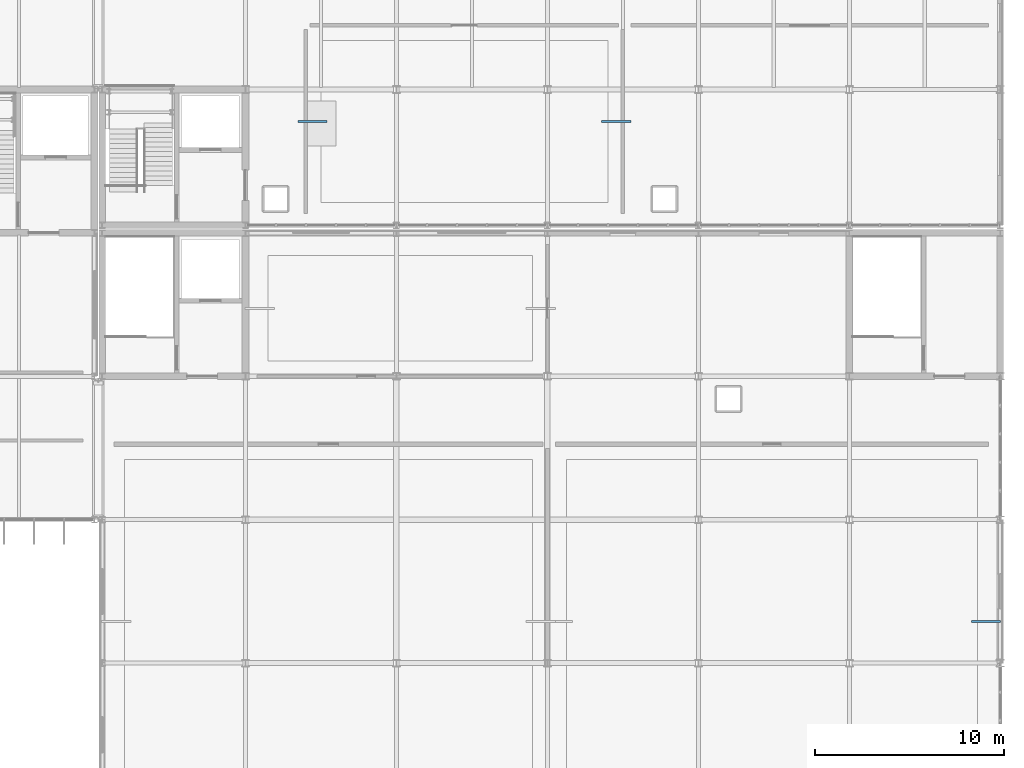
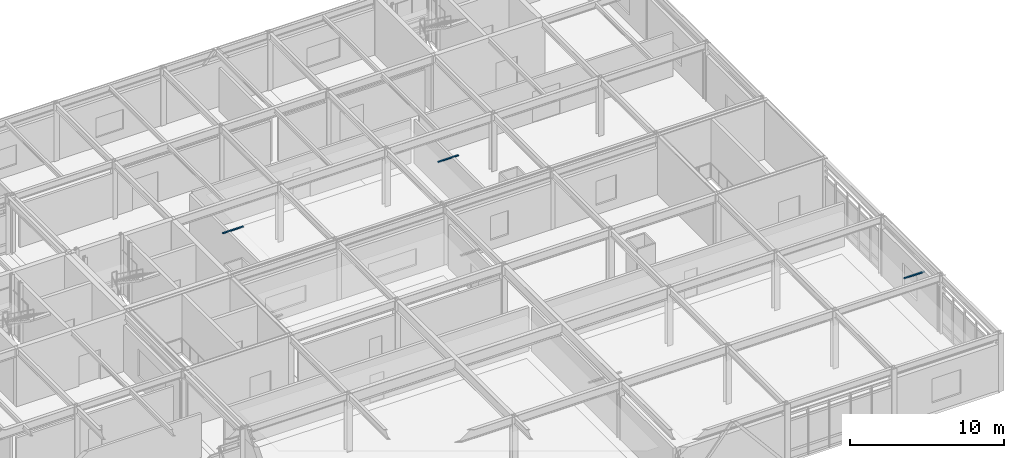
# One storey, part 92 of 104: 3 discrete accessories.
"""IFC4 building model written with IfcOpenShell, lengths in metres."""

import ifcopenshell
import ifcopenshell.guid

model = None  # the IFC model being written
_history = None  # IfcOwnerHistory: only IFC2X3 demands one
_inside = {}  # id of a spatial element -> (the spatial element, [elements in it])
_under = {}  # id of a project, library or spatial element -> (it, [spatial elements below it])
_declared = {}  # id of a project -> (the project, [libraries it declares])
_typed = {}  # id of a type object -> (the type object, [elements of that type])
_made_of = {}  # id of a material, layer set ... -> (it, [elements and type objects made of it])


def new_model(schema):
    """Start an empty IFC model of exactly this schema.

    Asked for "IFC4X3", IfcOpenShell would pick the latest addendum, in which some entities
    have other attributes; the version numbers below select the first issue.
    IFC2X3 requires an IfcOwnerHistory on every rooted entity: one is made here for all.
    """
    global model, _history
    if schema == "IFC4X3":
        model = ifcopenshell.file(schema_version=(4, 3, 0, 0))
    else:
        model = ifcopenshell.file(schema=schema)
    _inside.clear()
    _under.clear()
    _declared.clear()
    _typed.clear()
    _made_of.clear()
    _history = None
    if model.schema == "IFC2X3":
        org = make("IfcOrganization", Name="unknown")
        user = make(
            "IfcPersonAndOrganization",
            ThePerson=make("IfcPerson", FamilyName="unknown"),
            TheOrganization=org,
        )
        app = make(
            "IfcApplication",
            ApplicationDeveloper=org,
            Version="unknown",
            ApplicationFullName="unknown",
            ApplicationIdentifier="unknown",
        )
        _history = make(
            "IfcOwnerHistory",
            OwningUser=user,
            OwningApplication=app,
            ChangeAction="ADDED",
            CreationDate=0,
        )
    return model


def make(cls, **values):
    """One entity of the class cls with the attributes given. An attribute that is None is left unset."""
    return model.create_entity(
        cls, **{name: value for name, value in values.items() if value is not None}
    )


def rooted(cls, **values):
    """An entity with a GlobalId (a new one), such as an element, a storey or a relation."""
    return make(cls, GlobalId=ifcopenshell.guid.new(), OwnerHistory=_history, **values)


def si_unit(unit_type, name, prefix=None):
    """IfcSIUnit, for example si_unit("LENGTHUNIT", "METRE", prefix="MILLI")."""
    return make("IfcSIUnit", UnitType=unit_type, Prefix=prefix, Name=name)


def assignment(units):
    """IfcUnitAssignment: the units of a project."""
    return None if units is None else make("IfcUnitAssignment", Units=units)


def point(xyz):
    """IfcCartesianPoint."""
    return None if xyz is None else make("IfcCartesianPoint", Coordinates=xyz)


def direction(xyz):
    """IfcDirection."""
    return None if xyz is None else make("IfcDirection", DirectionRatios=xyz)


def frame(location, z_axis=None, x_axis=None):
    """IfcAxis2Placement3D, a coordinate frame: its origin and axes. An axis left out is left unset."""
    return make(
        "IfcAxis2Placement3D",
        Location=point(location),
        Axis=direction(z_axis),
        RefDirection=direction(x_axis),
    )


def frame_2d(location, x_axis=None):
    """IfcAxis2Placement2D, a coordinate frame in the plane: its origin and x axis."""
    return make(
        "IfcAxis2Placement2D", Location=point(location), RefDirection=direction(x_axis)
    )


def origin():
    """The frame at (0, 0, 0) with its axes left unset."""
    return frame((0.0, 0.0, 0.0))


def origin_2d():
    """The frame at (0, 0) in the plane with its x axis left unset."""
    return frame_2d((0.0, 0.0))


def place(relative_to, where):
    """IfcLocalPlacement: puts the frame where relative to a parent placement (None: the world)."""
    return make(
        "IfcLocalPlacement", PlacementRelTo=relative_to, RelativePlacement=where
    )


def context(
    kind, dimensions, precision=None, world=None, true_north=None, identifier=None
):
    """IfcGeometricRepresentationContext, for example the 3D "Model" context."""
    return make(
        "IfcGeometricRepresentationContext",
        ContextIdentifier=identifier,
        ContextType=kind,
        CoordinateSpaceDimension=dimensions,
        Precision=precision,
        WorldCoordinateSystem=world,
        TrueNorth=true_north,
    )


def subcontext(parent, identifier, kind, view, scale=None):
    """IfcGeometricRepresentationSubContext, for example "Body" below "Model"."""
    return make(
        "IfcGeometricRepresentationSubContext",
        ContextIdentifier=identifier,
        ContextType=kind,
        ParentContext=parent,
        TargetScale=scale,
        TargetView=view,
    )


def project(units=None, contexts=None):
    """IfcProject with its units and contexts."""
    return rooted(
        "IfcProject",
        Name="project",
        RepresentationContexts=contexts,
        UnitsInContext=assignment(units),
    )


def spatial(cls, under=None, at=None, **own):
    """A site, building, storey or space (cls), placed at a placement, below another one or the project."""
    s = rooted(cls, ObjectPlacement=at, **own)
    if under is not None:
        _under.setdefault(under.id(), (under, []))[1].append(s)
    return s


def profile(cls, at=None, kind="AREA", **sizes):
    """A parametric profile (cls). Its sizes go by their IFC names, for example OverallWidth=200.0."""
    return make(cls, ProfileType=kind, Position=at, **sizes)


def rectangle(**sizes):
    """IfcRectangleProfileDef."""
    return profile("IfcRectangleProfileDef", **sizes)


def extrude(swept, where, along, depth):
    """IfcExtrudedAreaSolid: the profile swept, set in the frame where, extruded along a direction by depth."""
    return make(
        "IfcExtrudedAreaSolid",
        SweptArea=swept,
        Position=where,
        ExtrudedDirection=direction(along),
        Depth=depth,
    )


def shape(context_of_items, identifier, shape_type, items):
    """IfcShapeRepresentation: the items that make up one representation, for example the "Body"."""
    return make(
        "IfcShapeRepresentation",
        ContextOfItems=context_of_items,
        RepresentationIdentifier=identifier,
        RepresentationType=shape_type,
        Items=items,
    )


def material(Name=None, Category=None):
    """IfcMaterial."""
    return make("IfcMaterial", Name=Name, Category=Category)


def layer(
    of_material, thickness, ventilated=None, Name=None, Category=None, Priority=None
):
    """IfcMaterialLayer: one layer of a wall or slab, of a material (None: an air gap)."""
    return make(
        "IfcMaterialLayer",
        Material=of_material,
        LayerThickness=thickness,
        IsVentilated=ventilated,
        Name=Name,
        Category=Category,
        Priority=Priority,
    )


def layer_set(layers, Name=None):
    """IfcMaterialLayerSet."""
    return make("IfcMaterialLayerSet", MaterialLayers=layers, LayerSetName=Name)


def made_of(thing, what):
    """Note that an element or type object is made of a material, layer set ...; save() writes the relation."""
    if what is not None:
        _made_of.setdefault(what.id(), (what, []))[1].append(thing)
    return thing


def type_object(cls, material=None, **own):
    """A type object (cls), such as IfcWallType, which elements share."""
    return made_of(rooted(cls, **own), material)


def element(
    cls,
    number,
    at=None,
    inside=None,
    cuts=None,
    type_object=None,
    material=None,
    context=None,
    identifier="Body",
    shape_type=None,
    held_by="IfcProductDefinitionShape",
    body=None,
    shapes=None,
    **own,
):
    """One element of the class cls, such as IfcWall. Its Tag is "e" and its number.

    at: its placement. inside: the storey or other place that contains it. cuts: it is an
    opening in that element (IfcRelVoidsElement). A single representation is given by context,
    identifier, shape_type and body (its items); several are given by shapes. held_by: the class
    of the entity that holds the representations. save() writes the other relations.
    """
    e = rooted(cls, Tag="e%d" % number, ObjectPlacement=at, **own)
    if body is not None:
        shapes = [shape(context, identifier, shape_type, body)]
    if shapes is not None:
        e.Representation = make(held_by, Representations=shapes)
    if inside is not None:
        _inside.setdefault(inside.id(), (inside, []))[1].append(e)
    if cuts is not None:
        rooted(
            "IfcRelVoidsElement", RelatingBuildingElement=cuts, RelatedOpeningElement=e
        )
    if type_object is not None:
        _typed.setdefault(type_object.id(), (type_object, []))[1].append(e)
    return made_of(e, material)


def aggregate(whole, parts):
    """IfcRelAggregates: a whole, such as a stair, and the parts it consists of."""
    return rooted("IfcRelAggregates", RelatingObject=whole, RelatedObjects=parts)


def save(model, path):
    """Write the relations noted so far, then the file.

    IfcRelAggregates (storeys below a building ...), IfcRelContainedInSpatialStructure (elements
    in a storey), IfcRelDefinesByType, IfcRelAssociatesMaterial and IfcRelDeclares: one each for
    every whole, place, type object, material and project.
    """
    for whole, parts in _under.values():
        aggregate(whole, parts)
    for where, things in _inside.values():
        rooted(
            "IfcRelContainedInSpatialStructure",
            RelatedElements=things,
            RelatingStructure=where,
        )
    for kind, things in _typed.values():
        rooted("IfcRelDefinesByType", RelatedObjects=things, RelatingType=kind)
    for what, things in _made_of.values():
        rooted("IfcRelAssociatesMaterial", RelatedObjects=things, RelatingMaterial=what)
    for by, libraries in _declared.values():
        rooted("IfcRelDeclares", RelatingContext=by, RelatedDefinitions=libraries)
    model.write(path)


model = new_model("IFC4")

# Units and contexts
model_context = context("Model", 3, precision=1e-05, world=origin(), true_north=direction((0.0, 1.0)))
body_context = subcontext(model_context, "Body", "Model", "MODEL_VIEW")
ifc_project = project(units=[si_unit("LENGTHUNIT", "METRE"), si_unit("AREAUNIT", "SQUARE_METRE"), si_unit("VOLUMEUNIT", "CUBIC_METRE"), si_unit("PLANEANGLEUNIT", "RADIAN"), si_unit("MASSUNIT", "GRAM", prefix="KILO")], contexts=[model_context])

# Site, building, storey
site_placement = place(None, origin())
site = spatial("IfcSite", under=ifc_project, at=site_placement, CompositionType="ELEMENT")
building_placement = place(site_placement, origin())
building = spatial("IfcBuilding", under=site, at=building_placement, Name="Zulena Civic Courthouse", CompositionType="ELEMENT")
storey_placement = place(building_placement, frame((0.0, 0.0, 15.60009765625)))
storey = spatial("IfcBuildingStorey", under=building, at=storey_placement, Name="L03", CompositionType="ELEMENT", Elevation=15.60009765625)

# Discrete accessories
ifc_material = material(Name="Gold anodised architectural aluminium AA6063-T6", Category="aluminium")
ifc_layer = layer(ifc_material, 0.1201171875)
ifc_layer_set = layer_set([ifc_layer], Name="Gold anodised architectural aluminium AA6063-T6")
discrete_accessory_type = type_object("IfcDiscreteAccessoryType", Name="FinOutriggerBracket", PredefinedType="BRACKET", material=ifc_layer_set)
for number, where, z_axis, x_axis, name in (
    (1, (171.25, 9.800048828125, 3.389892578125), (0.0, 0.0, 1.0), (1.0, 0.0, 0.0), "hng:ceil:L03:227:1"),
    (2, (135.550048828125, 36.300048828125, 3.389892578125), (0.0, 0.0, 1.0), (1.0, 0.0, 0.0), "hng:ceil:L03:274:0"),
    (3, (151.64990234375, 36.300048828125, 3.389892578125), (0.0, 0.0, 1.0), (1.0, 0.0, 0.0), "hng:ceil:L03:274:1"),
):
    element("IfcDiscreteAccessory", number, at=place(storey_placement, frame(where, z_axis=z_axis, x_axis=x_axis)), inside=storey, type_object=discrete_accessory_type, Name=name, PredefinedType="BRACKET", context=body_context, shape_type="SweptSolid", body=[
        extrude(rectangle(XDim=1.550048828125, YDim=0.1201171875, at=origin_2d()), origin(), (0.0, 0.0, 1.0), 0.080078125),
    ])

save(model, "model.ifc")
